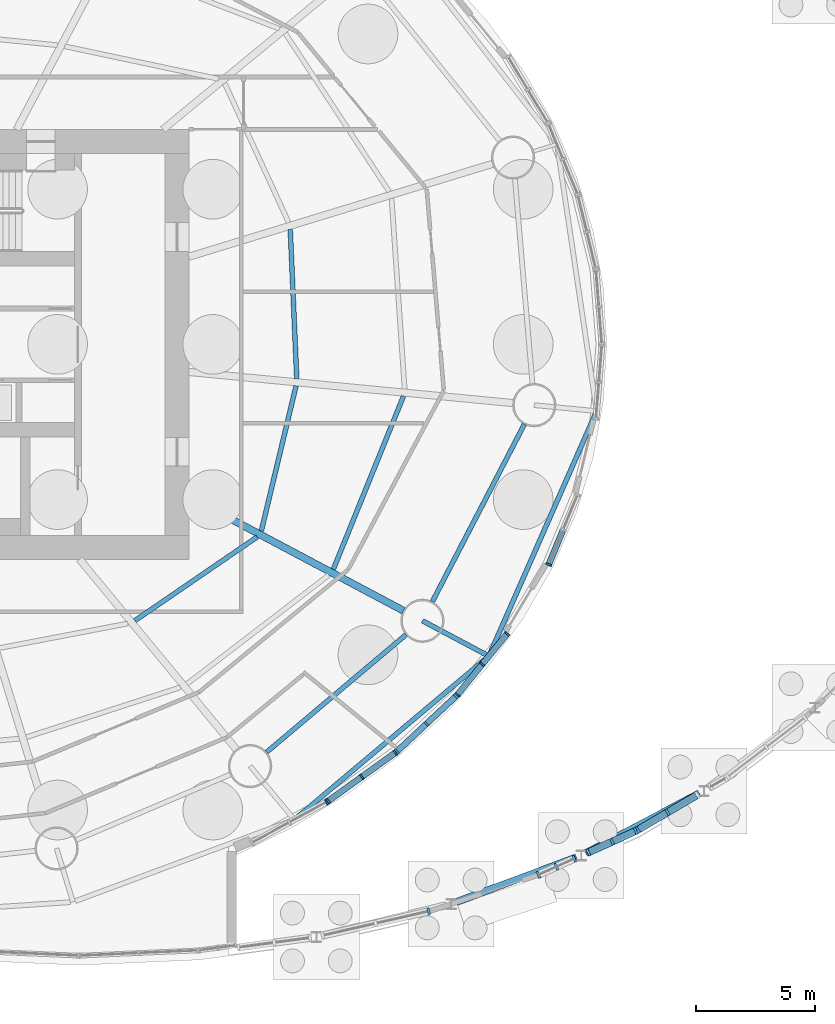
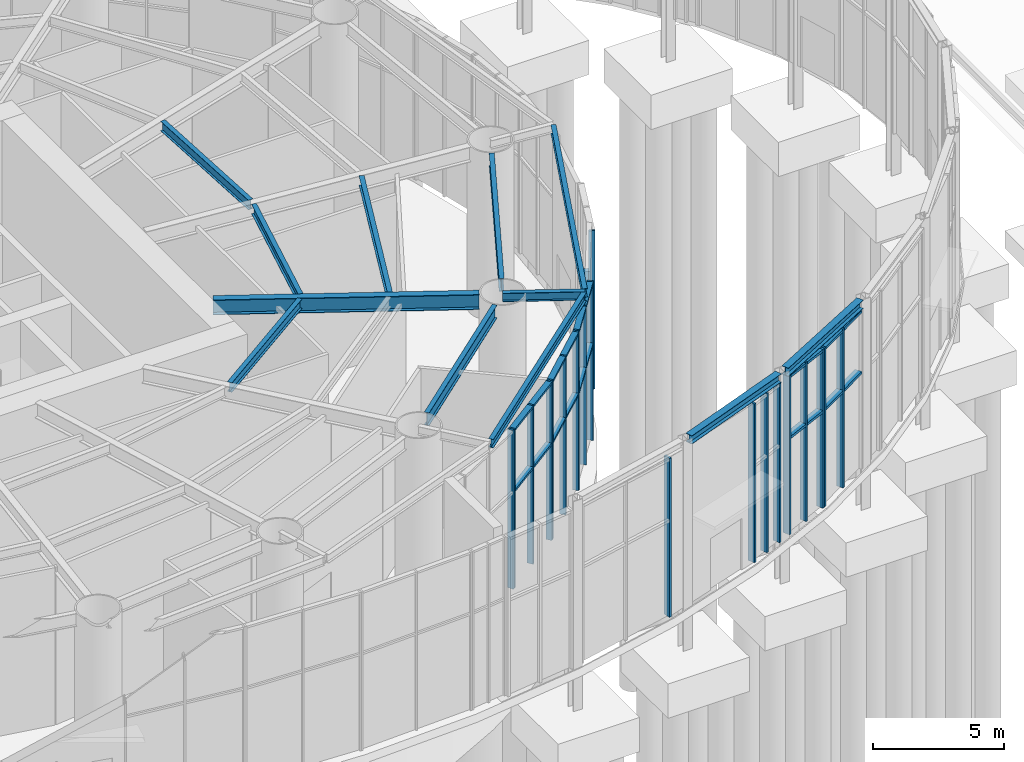
# One storey, part 8 of 27: 41 members, 12 beams, 9 elements without a shape of their own.
"""IFC4 building model written with IfcOpenShell, lengths in metres."""

import ifcopenshell
import ifcopenshell.guid

model = None  # the IFC model being written
_history = None  # IfcOwnerHistory: only IFC2X3 demands one
_inside = {}  # id of a spatial element -> (the spatial element, [elements in it])
_under = {}  # id of a project, library or spatial element -> (it, [spatial elements below it])
_declared = {}  # id of a project -> (the project, [libraries it declares])
_typed = {}  # id of a type object -> (the type object, [elements of that type])
_made_of = {}  # id of a material, layer set ... -> (it, [elements and type objects made of it])


def new_model(schema):
    """Start an empty IFC model of exactly this schema.

    Asked for "IFC4X3", IfcOpenShell would pick the latest addendum, in which some entities
    have other attributes; the version numbers below select the first issue.
    IFC2X3 requires an IfcOwnerHistory on every rooted entity: one is made here for all.
    """
    global model, _history
    if schema == "IFC4X3":
        model = ifcopenshell.file(schema_version=(4, 3, 0, 0))
    else:
        model = ifcopenshell.file(schema=schema)
    _inside.clear()
    _under.clear()
    _declared.clear()
    _typed.clear()
    _made_of.clear()
    _history = None
    if model.schema == "IFC2X3":
        org = make("IfcOrganization", Name="unknown")
        user = make(
            "IfcPersonAndOrganization",
            ThePerson=make("IfcPerson", FamilyName="unknown"),
            TheOrganization=org,
        )
        app = make(
            "IfcApplication",
            ApplicationDeveloper=org,
            Version="unknown",
            ApplicationFullName="unknown",
            ApplicationIdentifier="unknown",
        )
        _history = make(
            "IfcOwnerHistory",
            OwningUser=user,
            OwningApplication=app,
            ChangeAction="ADDED",
            CreationDate=0,
        )
    return model


def make(cls, **values):
    """One entity of the class cls with the attributes given. An attribute that is None is left unset."""
    return model.create_entity(
        cls, **{name: value for name, value in values.items() if value is not None}
    )


def rooted(cls, **values):
    """An entity with a GlobalId (a new one), such as an element, a storey or a relation."""
    return make(cls, GlobalId=ifcopenshell.guid.new(), OwnerHistory=_history, **values)


def si_unit(unit_type, name, prefix=None):
    """IfcSIUnit, for example si_unit("LENGTHUNIT", "METRE", prefix="MILLI")."""
    return make("IfcSIUnit", UnitType=unit_type, Prefix=prefix, Name=name)


def assignment(units):
    """IfcUnitAssignment: the units of a project."""
    return None if units is None else make("IfcUnitAssignment", Units=units)


def point(xyz):
    """IfcCartesianPoint."""
    return None if xyz is None else make("IfcCartesianPoint", Coordinates=xyz)


def direction(xyz):
    """IfcDirection."""
    return None if xyz is None else make("IfcDirection", DirectionRatios=xyz)


def frame(location, z_axis=None, x_axis=None):
    """IfcAxis2Placement3D, a coordinate frame: its origin and axes. An axis left out is left unset."""
    return make(
        "IfcAxis2Placement3D",
        Location=point(location),
        Axis=direction(z_axis),
        RefDirection=direction(x_axis),
    )


def frame_2d(location, x_axis=None):
    """IfcAxis2Placement2D, a coordinate frame in the plane: its origin and x axis."""
    return make(
        "IfcAxis2Placement2D", Location=point(location), RefDirection=direction(x_axis)
    )


def origin():
    """The frame at (0, 0, 0) with its axes left unset."""
    return frame((0.0, 0.0, 0.0))


def origin_2d():
    """The frame at (0, 0) in the plane with its x axis left unset."""
    return frame_2d((0.0, 0.0))


def place(relative_to, where):
    """IfcLocalPlacement: puts the frame where relative to a parent placement (None: the world)."""
    return make(
        "IfcLocalPlacement", PlacementRelTo=relative_to, RelativePlacement=where
    )


def context(
    kind, dimensions, precision=None, world=None, true_north=None, identifier=None
):
    """IfcGeometricRepresentationContext, for example the 3D "Model" context."""
    return make(
        "IfcGeometricRepresentationContext",
        ContextIdentifier=identifier,
        ContextType=kind,
        CoordinateSpaceDimension=dimensions,
        Precision=precision,
        WorldCoordinateSystem=world,
        TrueNorth=true_north,
    )


def subcontext(parent, identifier, kind, view, scale=None):
    """IfcGeometricRepresentationSubContext, for example "Body" below "Model"."""
    return make(
        "IfcGeometricRepresentationSubContext",
        ContextIdentifier=identifier,
        ContextType=kind,
        ParentContext=parent,
        TargetScale=scale,
        TargetView=view,
    )


def project(units=None, contexts=None):
    """IfcProject with its units and contexts."""
    return rooted(
        "IfcProject",
        Name="project",
        RepresentationContexts=contexts,
        UnitsInContext=assignment(units),
    )


def spatial(cls, under=None, at=None, **own):
    """A site, building, storey or space (cls), placed at a placement, below another one or the project."""
    s = rooted(cls, ObjectPlacement=at, **own)
    if under is not None:
        _under.setdefault(under.id(), (under, []))[1].append(s)
    return s


def profile(cls, at=None, kind="AREA", **sizes):
    """A parametric profile (cls). Its sizes go by their IFC names, for example OverallWidth=200.0."""
    return make(cls, ProfileType=kind, Position=at, **sizes)


def rectangle(**sizes):
    """IfcRectangleProfileDef."""
    return profile("IfcRectangleProfileDef", **sizes)


def i_section(**sizes):
    """IfcIShapeProfileDef."""
    return profile("IfcIShapeProfileDef", **sizes)


def extrude(swept, where, along, depth):
    """IfcExtrudedAreaSolid: the profile swept, set in the frame where, extruded along a direction by depth."""
    return make(
        "IfcExtrudedAreaSolid",
        SweptArea=swept,
        Position=where,
        ExtrudedDirection=direction(along),
        Depth=depth,
    )


def shape(context_of_items, identifier, shape_type, items):
    """IfcShapeRepresentation: the items that make up one representation, for example the "Body"."""
    return make(
        "IfcShapeRepresentation",
        ContextOfItems=context_of_items,
        RepresentationIdentifier=identifier,
        RepresentationType=shape_type,
        Items=items,
    )


def material(Name=None, Category=None):
    """IfcMaterial."""
    return make("IfcMaterial", Name=Name, Category=Category)


def material_profile(
    of_material, cross_section, Name=None, Category=None, Priority=None
):
    """IfcMaterialProfile: a cross section and its material."""
    return make(
        "IfcMaterialProfile",
        Name=Name,
        Material=of_material,
        Profile=cross_section,
        Priority=Priority,
        Category=Category,
    )


def profile_set(profiles, Name=None, composite=None):
    """IfcMaterialProfileSet."""
    return make(
        "IfcMaterialProfileSet",
        Name=Name,
        MaterialProfiles=profiles,
        CompositeProfile=composite,
    )


def made_of(thing, what):
    """Note that an element or type object is made of a material, layer set ...; save() writes the relation."""
    if what is not None:
        _made_of.setdefault(what.id(), (what, []))[1].append(thing)
    return thing


def type_object(cls, material=None, **own):
    """A type object (cls), such as IfcWallType, which elements share."""
    return made_of(rooted(cls, **own), material)


def element(
    cls,
    number,
    at=None,
    inside=None,
    cuts=None,
    type_object=None,
    material=None,
    context=None,
    identifier="Body",
    shape_type=None,
    held_by="IfcProductDefinitionShape",
    body=None,
    shapes=None,
    **own,
):
    """One element of the class cls, such as IfcWall. Its Tag is "e" and its number.

    at: its placement. inside: the storey or other place that contains it. cuts: it is an
    opening in that element (IfcRelVoidsElement). A single representation is given by context,
    identifier, shape_type and body (its items); several are given by shapes. held_by: the class
    of the entity that holds the representations. save() writes the other relations.
    """
    e = rooted(cls, Tag="e%d" % number, ObjectPlacement=at, **own)
    if body is not None:
        shapes = [shape(context, identifier, shape_type, body)]
    if shapes is not None:
        e.Representation = make(held_by, Representations=shapes)
    if inside is not None:
        _inside.setdefault(inside.id(), (inside, []))[1].append(e)
    if cuts is not None:
        rooted(
            "IfcRelVoidsElement", RelatingBuildingElement=cuts, RelatedOpeningElement=e
        )
    if type_object is not None:
        _typed.setdefault(type_object.id(), (type_object, []))[1].append(e)
    return made_of(e, material)


def aggregate(whole, parts):
    """IfcRelAggregates: a whole, such as a stair, and the parts it consists of."""
    return rooted("IfcRelAggregates", RelatingObject=whole, RelatedObjects=parts)


def save(model, path):
    """Write the relations noted so far, then the file.

    IfcRelAggregates (storeys below a building ...), IfcRelContainedInSpatialStructure (elements
    in a storey), IfcRelDefinesByType, IfcRelAssociatesMaterial and IfcRelDeclares: one each for
    every whole, place, type object, material and project.
    """
    for whole, parts in _under.values():
        aggregate(whole, parts)
    for where, things in _inside.values():
        rooted(
            "IfcRelContainedInSpatialStructure",
            RelatedElements=things,
            RelatingStructure=where,
        )
    for kind, things in _typed.values():
        rooted("IfcRelDefinesByType", RelatedObjects=things, RelatingType=kind)
    for what, things in _made_of.values():
        rooted("IfcRelAssociatesMaterial", RelatedObjects=things, RelatingMaterial=what)
    for by, libraries in _declared.values():
        rooted("IfcRelDeclares", RelatingContext=by, RelatedDefinitions=libraries)
    model.write(path)


model = new_model("IFC4")

# Units and contexts
model_context = context("Model", 3, precision=1e-05, world=origin(), true_north=direction((0.0, 1.0)))
body_context = subcontext(model_context, "Body", "Model", "MODEL_VIEW")
ifc_project = project(units=[si_unit("LENGTHUNIT", "METRE"), si_unit("AREAUNIT", "SQUARE_METRE"), si_unit("VOLUMEUNIT", "CUBIC_METRE"), si_unit("PLANEANGLEUNIT", "RADIAN"), si_unit("MASSUNIT", "GRAM", prefix="KILO")], contexts=[model_context])

# Site, building, storey
site_placement = place(None, origin())
site = spatial("IfcSite", under=ifc_project, at=site_placement, CompositionType="ELEMENT")
building_placement = place(site_placement, origin())
building = spatial("IfcBuilding", under=site, at=building_placement, Name="Vermilion Reach Broadcast Tower", CompositionType="ELEMENT")
storey_placement = place(building_placement, origin())
storey = spatial("IfcBuildingStorey", under=building, at=storey_placement, Name="L00", CompositionType="ELEMENT", Elevation=0.0)

# Curtain wall, member
ifc_material_1 = material(Name="Low-e laminated clear glass in aluminium frame", Category="aluminium")
curtain_wall_type_1 = type_object("IfcCurtainWallType", Name="Atrium outer wall curtain wall", PredefinedType="NOTDEFINED", material=ifc_material_1)
placement = place(storey_placement, origin())
curtain_wall_1 = element("IfcCurtainWall", 1, at=placement, inside=storey, type_object=curtain_wall_type_1, Name="Atrium wall L00 02", PredefinedType="NOTDEFINED")
ifc_material_2 = material(Name="Anodised aluminium", Category="aluminium")
ifc_material_profile_1 = material_profile(ifc_material_2, rectangle(XDim=0.300048828125, YDim=0.10009765625, at=origin_2d()), Name="Atrium outer wall mullion 100 x 300")
ifc_profile_set_1 = profile_set([ifc_material_profile_1], Name="Anodised aluminium")
member_type_1 = type_object("IfcMemberType", Name="Atrium outer wall mullion 100 x 300", PredefinedType="MULLION", material=ifc_profile_set_1)
member_1_placement = place(storey_placement, frame((16.042236328125, -23.7431640625, 0.0), z_axis=(0.0, 0.0, 1.0), x_axis=(-0.222891523278, 0.974843253478, 0.0)))
member_1 = element("IfcMember", 2, at=member_1_placement, type_object=member_type_1, Name="Atrium wall mullion L00 02.3", PredefinedType="MULLION", context=body_context, shape_type="SweptSolid", body=[
    extrude(rectangle(XDim=0.300048828125, YDim=0.10009765625, at=origin_2d()), origin(), (0.0, 0.0, 1.0), 7.409912109375),
])
aggregate(curtain_wall_1, [member_1])

# Curtain wall, members
curtain_wall_2 = element("IfcCurtainWall", 3, at=placement, inside=storey, type_object=curtain_wall_type_1, Name="Atrium wall L00 01-1", PredefinedType="NOTDEFINED")
member_2_placement = place(storey_placement, frame((20.636962890625, -22.216552734375, 0.0), z_axis=(0.0, 0.0, 1.0), x_axis=(-0.410407876277, 0.911902064418, 0.0)))
member_2 = element("IfcMember", 4, at=member_2_placement, type_object=member_type_1, Name="Atrium wall mullion L00 01-1.1", PredefinedType="MULLION", context=body_context, shape_type="SweptSolid", body=[
    extrude(rectangle(XDim=0.300048828125, YDim=0.10009765625, at=origin_2d()), origin(), (0.0, 0.0, 1.0), 7.409912109375),
])
member_3_placement = place(storey_placement, frame((21.386474609375, -21.87939453125, 0.0), z_axis=(0.0, 0.0, 1.0), x_axis=(-0.410407876277, 0.911902064418, 0.0)))
member_3 = element("IfcMember", 5, at=member_3_placement, type_object=member_type_1, Name="Atrium wall mullion L00 01-1.2", PredefinedType="MULLION", context=body_context, shape_type="SweptSolid", body=[
    extrude(rectangle(XDim=0.300048828125, YDim=0.10009765625, at=origin_2d()), origin(), (0.0, 0.0, 1.0), 7.409912109375),
])
member_4_placement = place(storey_placement, frame((22.1357421875, -21.5419921875, 0.0), z_axis=(0.0, 0.0, 1.0), x_axis=(-0.410407876277, 0.911902064418, 0.0)))
member_4 = element("IfcMember", 6, at=member_4_placement, type_object=member_type_1, Name="Atrium wall mullion L00 01-1.3", PredefinedType="MULLION", context=body_context, shape_type="SweptSolid", body=[
    extrude(rectangle(XDim=0.300048828125, YDim=0.10009765625, at=origin_2d()), origin(), (0.0, 0.0, 1.0), 7.409912109375),
])
aggregate(curtain_wall_2, [member_2, member_3, member_4])

curtain_wall_3 = element("IfcCurtainWall", 7, at=placement, inside=storey, type_object=curtain_wall_type_1, Name="Atrium wall L00 01-2", PredefinedType="NOTDEFINED")
member_5_placement = place(storey_placement, frame((22.726806640625, -21.276123046875, 0.0), z_axis=(0.0, 0.0, 1.0), x_axis=(-0.410407876277, 0.911902064418, 0.0)))
member_5 = element("IfcMember", 8, at=member_5_placement, type_object=member_type_1, Name="Atrium wall mullion L00 01-2.1", PredefinedType="MULLION", context=body_context, shape_type="SweptSolid", body=[
    extrude(rectangle(XDim=0.300048828125, YDim=0.10009765625, at=origin_2d()), origin(), (0.0, 0.0, 1.0), 7.409912109375),
])
member_6_placement = place(storey_placement, frame((23.720947265625, -20.82861328125, 0.0), z_axis=(0.0, 0.0, 1.0), x_axis=(-0.410407876277, 0.911902064418, 0.0)))
member_6 = element("IfcMember", 9, at=member_6_placement, type_object=member_type_1, Name="Atrium wall mullion L00 01-2.2", PredefinedType="MULLION", context=body_context, shape_type="SweptSolid", body=[
    extrude(rectangle(XDim=0.300048828125, YDim=0.10009765625, at=origin_2d()), origin(), (0.0, 0.0, 1.0), 7.409912109375),
])
member_7_placement = place(storey_placement, frame((24.715087890625, -20.38134765625, 0.0), z_axis=(0.0, 0.0, 1.0), x_axis=(-0.410407876277, 0.911902064418, 0.0)))
member_7 = element("IfcMember", 10, at=member_7_placement, type_object=member_type_1, Name="Atrium wall mullion L00 01-2.3", PredefinedType="MULLION", context=body_context, shape_type="SweptSolid", body=[
    extrude(rectangle(XDim=0.300048828125, YDim=0.10009765625, at=origin_2d()), origin(), (0.0, 0.0, 1.0), 7.409912109375),
])

curtain_wall_4 = element("IfcCurtainWall", 11, at=placement, inside=storey, type_object=curtain_wall_type_1, Name="Atrium wall L00 02-1", PredefinedType="NOTDEFINED")
member_8_placement = place(storey_placement, frame((24.8037109375, -20.33544921875, 0.0), z_axis=(0.0, 0.0, 1.0), x_axis=(-0.508589622127, 0.861009057017, 0.0)))
member_8 = element("IfcMember", 12, at=member_8_placement, type_object=member_type_1, Name="Atrium wall mullion L00 02-1.1", PredefinedType="MULLION", context=body_context, shape_type="SweptSolid", body=[
    extrude(rectangle(XDim=0.300048828125, YDim=0.10009765625, at=origin_2d()), origin(), (0.0, 0.0, 1.0), 7.409912109375),
])
member_9_placement = place(storey_placement, frame((26.0478515625, -19.6005859375, 0.0), z_axis=(0.0, 0.0, 1.0), x_axis=(-0.508589622127, 0.861009057017, 0.0)))
member_9 = element("IfcMember", 13, at=member_9_placement, type_object=member_type_1, Name="Atrium wall mullion L00 02-1.2", PredefinedType="MULLION", context=body_context, shape_type="SweptSolid", body=[
    extrude(rectangle(XDim=0.300048828125, YDim=0.10009765625, at=origin_2d()), origin(), (0.0, 0.0, 1.0), 7.409912109375),
])

# Member
ifc_material_3 = material(Name="Anodised aluminium", Category="aluminium")
ifc_material_profile_2 = material_profile(ifc_material_3, rectangle(XDim=0.300048828125, YDim=0.1201171875, at=origin_2d()), Name="Atrium outer wall transom 300 x 120")
ifc_profile_set_2 = profile_set([ifc_material_profile_2], Name="Anodised aluminium")
member_type_2 = type_object("IfcMemberType", Name="Atrium outer wall transom 300 x 120", PredefinedType="USERDEFINED", material=ifc_profile_set_2)
member_10_placement = place(storey_placement, frame((22.772216796875, -21.255615234375, 4.5), z_axis=(0.911879986632, 0.410456928289, 0.0), x_axis=(-0.410456928289, 0.911879986632, 0.0)))
member_10 = element("IfcMember", 14, at=member_10_placement, type_object=member_type_2, Name="Atrium wall transom L00 01-2.1.2", ObjectType="TRANSOM", PredefinedType="USERDEFINED", context=body_context, shape_type="SweptSolid", body=[
    extrude(rectangle(XDim=0.300048828125, YDim=0.1201171875, at=origin_2d()), origin(), (0.0, 0.0, 1.0), 0.990234375),
])

member_11_placement = place(storey_placement, frame((22.772216796875, -21.255615234375, 7.35009765625), z_axis=(0.911879986632, 0.410456928289, 0.0), x_axis=(-0.410456928289, 0.911879986632, 0.0)))
member_11 = element("IfcMember", 15, at=member_11_placement, type_object=member_type_2, Name="Atrium wall transom L00 01-2.1.3", ObjectType="TRANSOM", PredefinedType="USERDEFINED", context=body_context, shape_type="SweptSolid", body=[
    extrude(rectangle(XDim=0.300048828125, YDim=0.1201171875, at=origin_2d()), origin(), (0.0, 0.0, 1.0), 0.990234375),
])

member_12_placement = place(storey_placement, frame((23.766357421875, -20.80810546875, 4.5), z_axis=(0.911972242519, 0.410251909044, 0.0), x_axis=(-0.410251909044, 0.911972242519, 0.0)))
member_12 = element("IfcMember", 16, at=member_12_placement, type_object=member_type_2, Name="Atrium wall transom L00 01-2.2.2", ObjectType="TRANSOM", PredefinedType="USERDEFINED", context=body_context, shape_type="SweptSolid", body=[
    extrude(rectangle(XDim=0.300048828125, YDim=0.1201171875, at=origin_2d()), origin(), (0.0, 0.0, 1.0), 0.990234375),
])

member_13_placement = place(storey_placement, frame((23.766357421875, -20.80810546875, 7.35009765625), z_axis=(0.911972242519, 0.410251909044, 0.0), x_axis=(-0.410251909044, 0.911972242519, 0.0)))
member_13 = element("IfcMember", 17, at=member_13_placement, type_object=member_type_2, Name="Atrium wall transom L00 01-2.2.3", ObjectType="TRANSOM", PredefinedType="USERDEFINED", context=body_context, shape_type="SweptSolid", body=[
    extrude(rectangle(XDim=0.300048828125, YDim=0.1201171875, at=origin_2d()), origin(), (0.0, 0.0, 1.0), 0.990234375),
])

aggregate(curtain_wall_3, [member_5, member_6, member_7, member_10, member_11, member_12, member_13])

member_14_placement = place(storey_placement, frame((24.8466796875, -20.309814453125, 4.5), z_axis=(0.861060223376, 0.508502990866, 0.0), x_axis=(-0.508502990866, 0.861060223376, 0.0)))
member_14 = element("IfcMember", 18, at=member_14_placement, type_object=member_type_2, Name="Atrium wall transom L00 02-1.1.2", ObjectType="TRANSOM", PredefinedType="USERDEFINED", context=body_context, shape_type="SweptSolid", body=[
    extrude(rectangle(XDim=0.300048828125, YDim=0.1201171875, at=origin_2d()), origin(), (0.0, 0.0, 1.0), 1.3447265625),
])

member_15_placement = place(storey_placement, frame((24.8466796875, -20.309814453125, 7.35009765625), z_axis=(0.861060223376, 0.508502990866, 0.0), x_axis=(-0.508502990866, 0.861060223376, 0.0)))
member_15 = element("IfcMember", 19, at=member_15_placement, type_object=member_type_2, Name="Atrium wall transom L00 02-1.1.3", ObjectType="TRANSOM", PredefinedType="USERDEFINED", context=body_context, shape_type="SweptSolid", body=[
    extrude(rectangle(XDim=0.300048828125, YDim=0.1201171875, at=origin_2d()), origin(), (0.0, 0.0, 1.0), 1.3447265625),
])

member_16_placement = place(storey_placement, frame((26.0908203125, -19.574951171875, 4.5), z_axis=(0.861060223376, 0.508502990866, 0.0), x_axis=(-0.508502990866, 0.861060223376, 0.0)))
member_16 = element("IfcMember", 20, at=member_16_placement, type_object=member_type_2, Name="Atrium wall transom L00 02-1.2.2", ObjectType="TRANSOM", PredefinedType="USERDEFINED", context=body_context, shape_type="SweptSolid", body=[
    extrude(rectangle(XDim=0.300048828125, YDim=0.1201171875, at=origin_2d()), origin(), (0.0, 0.0, 1.0), 1.3447265625),
])

member_17_placement = place(storey_placement, frame((26.0908203125, -19.574951171875, 7.35009765625), z_axis=(0.861060223376, 0.508502990866, 0.0), x_axis=(-0.508502990866, 0.861060223376, 0.0)))
member_17 = element("IfcMember", 21, at=member_17_placement, type_object=member_type_2, Name="Atrium wall transom L00 02-1.2.3", ObjectType="TRANSOM", PredefinedType="USERDEFINED", context=body_context, shape_type="SweptSolid", body=[
    extrude(rectangle(XDim=0.300048828125, YDim=0.1201171875, at=origin_2d()), origin(), (0.0, 0.0, 1.0), 1.3447265625),
])

aggregate(curtain_wall_4, [member_8, member_9, member_14, member_15, member_16, member_17])

# Curtain wall, member
ifc_material_4 = material(Name="Low-e laminated clear glass in aluminium frame", Category="aluminium")
curtain_wall_type_2 = type_object("IfcCurtainWallType", Name="Drum wall curtain wall", PredefinedType="NOTDEFINED", material=ifc_material_4)
curtain_wall_5 = element("IfcCurtainWall", 22, at=placement, inside=storey, type_object=curtain_wall_type_2, Name="Drum wall L00 01", PredefinedType="NOTDEFINED")
ifc_material_5 = material(Name="Anodised aluminium", Category="aluminium")
ifc_material_profile_3 = material_profile(ifc_material_5, rectangle(XDim=0.25, YDim=0.080078125, at=origin_2d()), Name="Drum wall mullion 80 x 250")
ifc_profile_set_3 = profile_set([ifc_material_profile_3], Name="Anodised aluminium")
member_type_3 = type_object("IfcMemberType", Name="Drum wall mullion 80 x 250", PredefinedType="MULLION", material=ifc_profile_set_3)
member_18_placement = place(storey_placement, frame((21.069091796875, -9.219970703125, 0.0), z_axis=(0.0, 0.0, 1.0), x_axis=(0.92387542808, -0.382693341189, 0.0)))
member_18 = element("IfcMember", 23, at=member_18_placement, type_object=member_type_3, Name="Drum wall mullion L00 01.3", PredefinedType="MULLION", context=body_context, shape_type="SweptSolid", body=[
    extrude(rectangle(XDim=0.25, YDim=0.080078125, at=origin_2d()), origin(), (0.0, 0.0, 1.0), 7.39990234375),
])

# Curtain wall, members
curtain_wall_6 = element("IfcCurtainWall", 24, at=placement, inside=storey, type_object=curtain_wall_type_2, Name="Drum wall L00 01", PredefinedType="NOTDEFINED")
member_19_placement = place(storey_placement, frame((19.32470703125, -12.118896484375, 0.0), z_axis=(0.0, 0.0, 1.0), x_axis=(0.775024968423, -0.631930611951, 0.0)))
member_19 = element("IfcMember", 25, at=member_19_placement, type_object=member_type_3, Name="Drum wall mullion L00 01.1", PredefinedType="MULLION", context=body_context, shape_type="SweptSolid", body=[
    extrude(rectangle(XDim=0.25, YDim=0.080078125, at=origin_2d()), origin(), (0.0, 0.0, 1.0), 7.39990234375),
])
member_20_placement = place(storey_placement, frame((18.28173828125, -13.398193359375, 0.0), z_axis=(0.0, 0.0, 1.0), x_axis=(0.775024968423, -0.631930611951, 0.0)))
member_20 = element("IfcMember", 26, at=member_20_placement, type_object=member_type_3, Name="Drum wall mullion L00 01.2", PredefinedType="MULLION", context=body_context, shape_type="SweptSolid", body=[
    extrude(rectangle(XDim=0.25, YDim=0.080078125, at=origin_2d()), origin(), (0.0, 0.0, 1.0), 7.39990234375),
])
member_21_placement = place(storey_placement, frame((17.238525390625, -14.677490234375, 0.0), z_axis=(0.0, 0.0, 1.0), x_axis=(0.775024968423, -0.631930611951, 0.0)))
member_21 = element("IfcMember", 27, at=member_21_placement, type_object=member_type_3, Name="Drum wall mullion L00 01.3", PredefinedType="MULLION", context=body_context, shape_type="SweptSolid", body=[
    extrude(rectangle(XDim=0.25, YDim=0.080078125, at=origin_2d()), origin(), (0.0, 0.0, 1.0), 7.39990234375),
])

curtain_wall_7 = element("IfcCurtainWall", 28, at=placement, inside=storey, type_object=curtain_wall_type_2, Name="Drum wall L00 02", PredefinedType="NOTDEFINED")
member_22_placement = place(storey_placement, frame((17.18408203125, -14.73583984375, 0.0), z_axis=(0.0, 0.0, 1.0), x_axis=(0.682747869342, -0.730654054194, 0.0)))
member_22 = element("IfcMember", 29, at=member_22_placement, type_object=member_type_3, Name="Drum wall mullion L00 02.1", PredefinedType="MULLION", context=body_context, shape_type="SweptSolid", body=[
    extrude(rectangle(XDim=0.25, YDim=0.080078125, at=origin_2d()), origin(), (0.0, 0.0, 1.0), 7.39990234375),
])
member_23_placement = place(storey_placement, frame((15.947265625, -15.891357421875, 0.0), z_axis=(0.0, 0.0, 1.0), x_axis=(0.682747869342, -0.730654054194, 0.0)))
member_23 = element("IfcMember", 30, at=member_23_placement, type_object=member_type_3, Name="Drum wall mullion L00 02.2", PredefinedType="MULLION", context=body_context, shape_type="SweptSolid", body=[
    extrude(rectangle(XDim=0.25, YDim=0.080078125, at=origin_2d()), origin(), (0.0, 0.0, 1.0), 7.39990234375),
])
member_24_placement = place(storey_placement, frame((14.710693359375, -17.047119140625, 0.0), z_axis=(0.0, 0.0, 1.0), x_axis=(0.682747869342, -0.730654054194, 0.0)))
member_24 = element("IfcMember", 31, at=member_24_placement, type_object=member_type_3, Name="Drum wall mullion L00 02.3", PredefinedType="MULLION", context=body_context, shape_type="SweptSolid", body=[
    extrude(rectangle(XDim=0.25, YDim=0.080078125, at=origin_2d()), origin(), (0.0, 0.0, 1.0), 7.39990234375),
])

curtain_wall_8 = element("IfcCurtainWall", 32, at=placement, inside=storey, type_object=curtain_wall_type_2, Name="Drum wall L00 03", PredefinedType="NOTDEFINED")
member_25_placement = place(storey_placement, frame((14.64892578125, -17.09765625, 0.0), z_axis=(0.0, 0.0, 1.0), x_axis=(0.583587074286, -0.812050569069, 0.0)))
member_25 = element("IfcMember", 33, at=member_25_placement, type_object=member_type_3, Name="Drum wall mullion L00 03.1", PredefinedType="MULLION", context=body_context, shape_type="SweptSolid", body=[
    extrude(rectangle(XDim=0.25, YDim=0.080078125, at=origin_2d()), origin(), (0.0, 0.0, 1.0), 7.39990234375),
])
member_26_placement = place(storey_placement, frame((13.23974609375, -18.1103515625, 0.0), z_axis=(0.0, 0.0, 1.0), x_axis=(0.583587074286, -0.812050569069, 0.0)))
member_26 = element("IfcMember", 34, at=member_26_placement, type_object=member_type_3, Name="Drum wall mullion L00 03.2", PredefinedType="MULLION", context=body_context, shape_type="SweptSolid", body=[
    extrude(rectangle(XDim=0.25, YDim=0.080078125, at=origin_2d()), origin(), (0.0, 0.0, 1.0), 7.39990234375),
])
member_27_placement = place(storey_placement, frame((11.830810546875, -19.123046875, 0.0), z_axis=(0.0, 0.0, 1.0), x_axis=(0.583587074286, -0.812050569069, 0.0)))
member_27 = element("IfcMember", 35, at=member_27_placement, type_object=member_type_3, Name="Drum wall mullion L00 03.3", PredefinedType="MULLION", context=body_context, shape_type="SweptSolid", body=[
    extrude(rectangle(XDim=0.25, YDim=0.080078125, at=origin_2d()), origin(), (0.0, 0.0, 1.0), 7.39990234375),
])

# Curtain wall, member
curtain_wall_9 = element("IfcCurtainWall", 36, at=placement, inside=storey, type_object=curtain_wall_type_2, Name="Drum wall L00 04", PredefinedType="NOTDEFINED")
member_28_placement = place(storey_placement, frame((11.76318359375, -19.16552734375, 0.0), z_axis=(0.0, 0.0, 1.0), x_axis=(0.480269272265, -0.87712110117, 0.0)))
member_28 = element("IfcMember", 37, at=member_28_placement, type_object=member_type_3, Name="Drum wall mullion L00 04.1", PredefinedType="MULLION", context=body_context, shape_type="SweptSolid", body=[
    extrude(rectangle(XDim=0.25, YDim=0.080078125, at=origin_2d()), origin(), (0.0, 0.0, 1.0), 7.39990234375),
])
aggregate(curtain_wall_9, [member_28])

# Member
ifc_material_6 = material(Name="Anodised aluminium", Category="aluminium")
ifc_material_profile_4 = material_profile(ifc_material_6, rectangle(XDim=0.25, YDim=0.10009765625, at=origin_2d()), Name="Drum wall transom 250 x 100")
ifc_profile_set_4 = profile_set([ifc_material_profile_4], Name="Anodised aluminium")
member_type_4 = type_object("IfcMemberType", Name="Drum wall transom 250 x 100", PredefinedType="USERDEFINED", material=ifc_profile_set_4)
member_29_placement = place(storey_placement, frame((21.658447265625, -7.797119140625, 4.5), z_axis=(-0.382811769845, -0.923826362943, 0.0), x_axis=(0.923826362943, -0.382811769845, 0.0)))
member_29 = element("IfcMember", 38, at=member_29_placement, type_object=member_type_4, Name="Drum wall transom L00 01.2.2", ObjectType="TRANSOM", PredefinedType="USERDEFINED", context=body_context, shape_type="SweptSolid", body=[
    extrude(rectangle(XDim=0.25, YDim=0.10009765625, at=origin_2d()), origin(), (0.0, 0.0, 1.0), 1.5),
])

aggregate(curtain_wall_5, [member_18, member_29])

member_30_placement = place(storey_placement, frame((19.299560546875, -12.14990234375, 4.5), z_axis=(-0.631984275662, -0.774981209653, 0.0), x_axis=(0.774981209653, -0.631984275662, 0.0)))
member_30 = element("IfcMember", 39, at=member_30_placement, type_object=member_type_4, Name="Drum wall transom L00 01.1.2", ObjectType="TRANSOM", PredefinedType="USERDEFINED", context=body_context, shape_type="SweptSolid", body=[
    extrude(rectangle(XDim=0.25, YDim=0.10009765625, at=origin_2d()), origin(), (0.0, 0.0, 1.0), 1.57080078125),
])

member_31_placement = place(storey_placement, frame((19.299560546875, -12.14990234375, 7.35009765625), z_axis=(-0.631984275662, -0.774981209653, 0.0), x_axis=(0.774981209653, -0.631984275662, 0.0)))
member_31 = element("IfcMember", 40, at=member_31_placement, type_object=member_type_4, Name="Drum wall transom L00 01.1.3", ObjectType="TRANSOM", PredefinedType="USERDEFINED", context=body_context, shape_type="SweptSolid", body=[
    extrude(rectangle(XDim=0.25, YDim=0.10009765625, at=origin_2d()), origin(), (0.0, 0.0, 1.0), 1.57080078125),
])

member_32_placement = place(storey_placement, frame((18.25634765625, -13.42919921875, 4.5), z_axis=(-0.631890910418, -0.775057338092, 0.0), x_axis=(0.775057338092, -0.631890910418, 0.0)))
member_32 = element("IfcMember", 41, at=member_32_placement, type_object=member_type_4, Name="Drum wall transom L00 01.2.2", ObjectType="TRANSOM", PredefinedType="USERDEFINED", context=body_context, shape_type="SweptSolid", body=[
    extrude(rectangle(XDim=0.25, YDim=0.10009765625, at=origin_2d()), origin(), (0.0, 0.0, 1.0), 1.570556640625),
])

member_33_placement = place(storey_placement, frame((18.25634765625, -13.42919921875, 7.35009765625), z_axis=(-0.631890910418, -0.775057338092, 0.0), x_axis=(0.775057338092, -0.631890910418, 0.0)))
member_33 = element("IfcMember", 42, at=member_33_placement, type_object=member_type_4, Name="Drum wall transom L00 01.2.3", ObjectType="TRANSOM", PredefinedType="USERDEFINED", context=body_context, shape_type="SweptSolid", body=[
    extrude(rectangle(XDim=0.25, YDim=0.10009765625, at=origin_2d()), origin(), (0.0, 0.0, 1.0), 1.570556640625),
])

aggregate(curtain_wall_6, [member_19, member_20, member_21, member_30, member_31, member_32, member_33])

member_34_placement = place(storey_placement, frame((17.15478515625, -14.762939453125, 4.5), z_axis=(-0.730622158932, -0.682782000991, 0.0), x_axis=(0.682782000991, -0.730622158932, 0.0)))
member_34 = element("IfcMember", 43, at=member_34_placement, type_object=member_type_4, Name="Drum wall transom L00 02.1.2", ObjectType="TRANSOM", PredefinedType="USERDEFINED", context=body_context, shape_type="SweptSolid", body=[
    extrude(rectangle(XDim=0.25, YDim=0.10009765625, at=origin_2d()), origin(), (0.0, 0.0, 1.0), 1.612548828125),
])

member_35_placement = place(storey_placement, frame((17.15478515625, -14.762939453125, 7.35009765625), z_axis=(-0.730622158932, -0.682782000991, 0.0), x_axis=(0.682782000991, -0.730622158932, 0.0)))
member_35 = element("IfcMember", 44, at=member_35_placement, type_object=member_type_4, Name="Drum wall transom L00 02.1.3", ObjectType="TRANSOM", PredefinedType="USERDEFINED", context=body_context, shape_type="SweptSolid", body=[
    extrude(rectangle(XDim=0.25, YDim=0.10009765625, at=origin_2d()), origin(), (0.0, 0.0, 1.0), 1.612548828125),
])

member_36_placement = place(storey_placement, frame((15.918212890625, -15.918701171875, 4.5), z_axis=(-0.730692725273, -0.68270648249, 0.0), x_axis=(0.68270648249, -0.730692725273, 0.0)))
member_36 = element("IfcMember", 45, at=member_36_placement, type_object=member_type_4, Name="Drum wall transom L00 02.2.2", ObjectType="TRANSOM", PredefinedType="USERDEFINED", context=body_context, shape_type="SweptSolid", body=[
    extrude(rectangle(XDim=0.25, YDim=0.10009765625, at=origin_2d()), origin(), (0.0, 0.0, 1.0), 1.61279296875),
])

member_37_placement = place(storey_placement, frame((15.918212890625, -15.918701171875, 7.35009765625), z_axis=(-0.730692725273, -0.68270648249, 0.0), x_axis=(0.68270648249, -0.730692725273, 0.0)))
member_37 = element("IfcMember", 46, at=member_37_placement, type_object=member_type_4, Name="Drum wall transom L00 02.2.3", ObjectType="TRANSOM", PredefinedType="USERDEFINED", context=body_context, shape_type="SweptSolid", body=[
    extrude(rectangle(XDim=0.25, YDim=0.10009765625, at=origin_2d()), origin(), (0.0, 0.0, 1.0), 1.61279296875),
])

aggregate(curtain_wall_7, [member_22, member_23, member_24, member_34, member_35, member_36, member_37])

member_38_placement = place(storey_placement, frame((14.616455078125, -17.12109375, 4.5), z_axis=(-0.812115843093, -0.583496235975, 0.0), x_axis=(0.583496235975, -0.812115843093, 0.0)))
member_38 = element("IfcMember", 47, at=member_38_placement, type_object=member_type_4, Name="Drum wall transom L00 03.1.2", ObjectType="TRANSOM", PredefinedType="USERDEFINED", context=body_context, shape_type="SweptSolid", body=[
    extrude(rectangle(XDim=0.25, YDim=0.10009765625, at=origin_2d()), origin(), (0.0, 0.0, 1.0), 1.6552734375),
])

member_39_placement = place(storey_placement, frame((14.616455078125, -17.12109375, 7.35009765625), z_axis=(-0.812115843093, -0.583496235975, 0.0), x_axis=(0.583496235975, -0.812115843093, 0.0)))
member_39 = element("IfcMember", 48, at=member_39_placement, type_object=member_type_4, Name="Drum wall transom L00 03.1.3", ObjectType="TRANSOM", PredefinedType="USERDEFINED", context=body_context, shape_type="SweptSolid", body=[
    extrude(rectangle(XDim=0.25, YDim=0.10009765625, at=origin_2d()), origin(), (0.0, 0.0, 1.0), 1.6552734375),
])

member_40_placement = place(storey_placement, frame((13.207275390625, -18.1337890625, 4.5), z_axis=(-0.812065616245, -0.583566135852, 0.0), x_axis=(0.583566135852, -0.812065616245, 0.0)))
member_40 = element("IfcMember", 49, at=member_40_placement, type_object=member_type_4, Name="Drum wall transom L00 03.2.2", ObjectType="TRANSOM", PredefinedType="USERDEFINED", context=body_context, shape_type="SweptSolid", body=[
    extrude(rectangle(XDim=0.25, YDim=0.10009765625, at=origin_2d()), origin(), (0.0, 0.0, 1.0), 1.655029296875),
])

member_41_placement = place(storey_placement, frame((13.207275390625, -18.1337890625, 7.35009765625), z_axis=(-0.812065616245, -0.583566135852, 0.0), x_axis=(0.583566135852, -0.812065616245, 0.0)))
member_41 = element("IfcMember", 50, at=member_41_placement, type_object=member_type_4, Name="Drum wall transom L00 03.2.3", ObjectType="TRANSOM", PredefinedType="USERDEFINED", context=body_context, shape_type="SweptSolid", body=[
    extrude(rectangle(XDim=0.25, YDim=0.10009765625, at=origin_2d()), origin(), (0.0, 0.0, 1.0), 1.655029296875),
])

aggregate(curtain_wall_8, [member_25, member_26, member_27, member_38, member_39, member_40, member_41])

# Beams
ifc_material_7 = material(Name="Steel S355J2", Category="steel")
ifc_material_profile_5 = material_profile(ifc_material_7, i_section(OverallWidth=0.199951171875, OverallDepth=0.39990234375, WebThickness=0.008056640625, FlangeThickness=0.012939453125, at=origin_2d()), Name="S355J2 HN 400x200x8x13")
ifc_profile_set_5 = profile_set([ifc_material_profile_5], Name="Steel S355J2")
beam_type_1 = type_object("IfcBeamType", Name="EB1 HN 400x200x8x13", PredefinedType="BEAM", material=ifc_profile_set_5)
beam_1_placement = place(storey_placement, frame((10.490478515625, -19.840087890625, 7.60009765625), z_axis=(0.765453208317, 0.643491558513, 0.0), x_axis=(-0.643491558513, 0.765453208317, 0.0)))
element("IfcBeam", 51, at=beam_1_placement, inside=storey, type_object=beam_type_1, Name="Edge beam EB1-14", PredefinedType="BEAM", context=body_context, shape_type="SweptSolid", body=[
    extrude(i_section(OverallWidth=0.199951171875, OverallDepth=0.39990234375, WebThickness=0.008056640625, FlangeThickness=0.012939453125, at=origin_2d()), origin(), (0.0, 0.0, 1.0), 10.437255859375),
])
beam_2_placement = place(storey_placement, frame((18.6025390625, -12.962646484375, 7.60009765625), z_axis=(0.402751254677, 0.915309470538, 0.0), x_axis=(-0.915309470538, 0.402751254677, 0.0)))
element("IfcBeam", 52, at=beam_2_placement, inside=storey, type_object=beam_type_1, Name="Edge beam EB1-15", PredefinedType="BEAM", context=body_context, shape_type="SweptSolid", body=[
    extrude(i_section(OverallWidth=0.199951171875, OverallDepth=0.39990234375, WebThickness=0.008056640625, FlangeThickness=0.012939453125, at=origin_2d()), origin(), (0.0, 0.0, 1.0), 11.00341796875),
])
ifc_material_8 = material(Name="Steel S355J2", Category="steel")
ifc_material_profile_6 = material_profile(ifc_material_8, i_section(OverallWidth=0.300048828125, OverallDepth=0.699951171875, WebThickness=0.012939453125, FlangeThickness=0.02392578125, at=origin_2d()), Name="S355J2 HN 700x300x13x24")
ifc_profile_set_6 = profile_set([ifc_material_profile_6], Name="Steel S355J2")
beam_type_2 = type_object("IfcBeamType", Name="G1 HN 700x300x13x24", PredefinedType="BEAM", material=ifc_profile_set_6)
beam_3_placement = place(storey_placement, frame((6.0, -6.3779296875, 7.449951171875), z_axis=(0.883032139419, -0.469312519279, 0.0), x_axis=(0.469312519279, 0.883032139419, 0.0)))
element("IfcBeam", 53, at=beam_3_placement, inside=storey, type_object=beam_type_2, Name="Girder G1-15", PredefinedType="BEAM", context=body_context, shape_type="SweptSolid", body=[
    extrude(i_section(OverallWidth=0.300048828125, OverallDepth=0.699951171875, WebThickness=0.012939453125, FlangeThickness=0.02392578125, at=origin_2d()), origin(), (0.0, 0.0, 1.0), 10.17529296875),
])
ifc_material_9 = material(Name="Steel S355J2", Category="steel")
ifc_material_profile_7 = material_profile(ifc_material_9, i_section(OverallWidth=0.199951171875, OverallDepth=0.39990234375, WebThickness=0.008056640625, FlangeThickness=0.012939453125, at=origin_2d()), Name="S355J2 HN 400x200x8x13")
ifc_profile_set_7 = profile_set([ifc_material_profile_7], Name="Steel S355J2")
beam_type_3 = type_object("IfcBeamType", Name="GC1 HN 400x200x8x13", PredefinedType="BEAM", material=ifc_profile_set_7)
beam_4_placement = place(storey_placement, frame((15.77978515625, -11.57568359375, 7.60009765625), z_axis=(0.8830404704, -0.469296843837, 0.0), x_axis=(0.469296843837, 0.8830404704, 0.0)))
element("IfcBeam", 54, at=beam_4_placement, inside=storey, type_object=beam_type_3, Name="Cantilever girder GC1-15", PredefinedType="BEAM", context=body_context, shape_type="SweptSolid", body=[
    extrude(i_section(OverallWidth=0.199951171875, OverallDepth=0.39990234375, WebThickness=0.008056640625, FlangeThickness=0.012939453125, at=origin_2d()), origin(), (0.0, 0.0, 1.0), 3.151123046875),
])
ifc_material_10 = material(Name="Steel S355J2", Category="steel")
ifc_material_profile_8 = material_profile(ifc_material_10, i_section(OverallWidth=0.199951171875, OverallDepth=0.60009765625, WebThickness=0.010986328125, FlangeThickness=0.01708984375, at=origin_2d()), Name="S355J2 HN 600x200x11x17")
ifc_profile_set_8 = profile_set([ifc_material_profile_8], Name="Steel S355J2")
beam_type_4 = type_object("IfcBeamType", Name="RB1 HN 600x200x11x17", PredefinedType="BEAM", material=ifc_profile_set_8)
beam_5_placement = place(storey_placement, frame((9.251220703125, -17.080322265625, 7.5), z_axis=(0.764512441084, 0.6446089725, 0.0), x_axis=(-0.6446089725, 0.764512441084, 0.0)))
element("IfcBeam", 55, at=beam_5_placement, inside=storey, type_object=beam_type_4, Name="Ring beam RB1-14", PredefinedType="BEAM", context=body_context, shape_type="SweptSolid", body=[
    extrude(i_section(OverallWidth=0.199951171875, OverallDepth=0.60009765625, WebThickness=0.010986328125, FlangeThickness=0.01708984375, at=origin_2d()), origin(), (0.0, 0.0, 1.0), 7.6396484375),
])
beam_6_placement = place(storey_placement, frame((16.194091796875, -10.776611328125, 7.5), z_axis=(0.460411617218, 0.887705549566, 0.0), x_axis=(-0.887705549566, 0.460411617218, 0.0)))
element("IfcBeam", 56, at=beam_6_placement, inside=storey, type_object=beam_type_4, Name="Ring beam RB1-15", PredefinedType="BEAM", context=body_context, shape_type="SweptSolid", body=[
    extrude(i_section(OverallWidth=0.199951171875, OverallDepth=0.60009765625, WebThickness=0.010986328125, FlangeThickness=0.01708984375, at=origin_2d()), origin(), (0.0, 0.0, 1.0), 8.37451171875),
])
ifc_material_11 = material(Name="Steel S355J2", Category="steel")
ifc_material_profile_9 = material_profile(ifc_material_11, i_section(OverallWidth=0.300048828125, OverallDepth=0.389892578125, WebThickness=0.010009765625, FlangeThickness=0.01611328125, at=origin_2d()), Name="S355J2 HM 390x300x10x16")
ifc_profile_set_9 = profile_set([ifc_material_profile_9], Name="Steel S355J2")
beam_type_5 = type_object("IfcBeamType", Name="RM1 HM 390x300x10x16", PredefinedType="BEAM", material=ifc_profile_set_9)
beam_7_placement = place(storey_placement, frame((17.190673828125, -23.3583984375, 7.60498046875), z_axis=(0.937250522131, 0.348656648818, 0.0), x_axis=(-0.348656648818, 0.937250522131, 0.0)))
element("IfcBeam", 57, at=beam_7_placement, inside=storey, type_object=beam_type_5, Name="Rim beam AP02-AP03", PredefinedType="BEAM", context=body_context, shape_type="SweptSolid", body=[
    extrude(i_section(OverallWidth=0.300048828125, OverallDepth=0.389892578125, WebThickness=0.010009765625, FlangeThickness=0.01611328125, at=origin_2d()), origin(), (0.0, 0.0, 1.0), 5.37158203125),
])
beam_8_placement = place(storey_placement, frame((22.625732421875, -21.306396484375, 7.60498046875), z_axis=(0.884684356477, 0.46619050763, 0.0), x_axis=(-0.46619050763, 0.884684356477, 0.0)))
element("IfcBeam", 58, at=beam_8_placement, inside=storey, type_object=beam_type_5, Name="Rim beam AP03-AP04", PredefinedType="BEAM", context=body_context, shape_type="SweptSolid", body=[
    extrude(i_section(OverallWidth=0.300048828125, OverallDepth=0.389892578125, WebThickness=0.010009765625, FlangeThickness=0.01611328125, at=origin_2d()), origin(), (0.0, 0.0, 1.0), 5.369384765625),
])
ifc_material_12 = material(Name="Steel S355J2", Category="steel")
ifc_material_profile_10 = material_profile(ifc_material_12, i_section(OverallWidth=0.199951171875, OverallDepth=0.449951171875, WebThickness=0.009033203125, FlangeThickness=0.013916015625, at=origin_2d()), Name="S355J2 HN 450x200x9x14")
ifc_profile_set_10 = profile_set([ifc_material_profile_10], Name="Steel S355J2")
beam_type_6 = type_object("IfcBeamType", Name="SB1 HN 450x200x9x14", PredefinedType="BEAM", material=ifc_profile_set_10)
beam_9_placement = place(storey_placement, frame((3.735595703125, -11.5703125, 7.574951171875), z_axis=(0.825140253447, 0.564927926502, 0.0), x_axis=(-0.564927926502, 0.825140253447, 0.0)))
element("IfcBeam", 59, at=beam_9_placement, inside=storey, type_object=beam_type_6, Name="Secondary beam SB1-14-1", PredefinedType="BEAM", context=body_context, shape_type="SweptSolid", body=[
    extrude(i_section(OverallWidth=0.199951171875, OverallDepth=0.449951171875, WebThickness=0.009033203125, FlangeThickness=0.013916015625, at=origin_2d()), origin(), (0.0, 0.0, 1.0), 6.20458984375),
])
beam_10_placement = place(storey_placement, frame((9.031005859375, -7.81884765625, 7.574951171875), z_axis=(0.232844467589, 0.972513986487, 0.0), x_axis=(-0.972513986487, 0.232844467589, 0.0)))
element("IfcBeam", 60, at=beam_10_placement, inside=storey, type_object=beam_type_6, Name="Secondary beam SB1-15-1", PredefinedType="BEAM", context=body_context, shape_type="SweptSolid", body=[
    extrude(i_section(OverallWidth=0.199951171875, OverallDepth=0.449951171875, WebThickness=0.009033203125, FlangeThickness=0.013916015625, at=origin_2d()), origin(), (0.0, 0.0, 1.0), 6.25537109375),
])
beam_11_placement = place(storey_placement, frame((12.046630859375, -9.421630859375, 7.574951171875), z_axis=(0.375640669938, 0.926765389453, 0.0), x_axis=(-0.926765389453, 0.375640669938, 0.0)))
element("IfcBeam", 61, at=beam_11_placement, inside=storey, type_object=beam_type_6, Name="Secondary beam SB1-15-2", PredefinedType="BEAM", context=body_context, shape_type="SweptSolid", body=[
    extrude(i_section(OverallWidth=0.199951171875, OverallDepth=0.449951171875, WebThickness=0.009033203125, FlangeThickness=0.013916015625, at=origin_2d()), origin(), (0.0, 0.0, 1.0), 7.8271484375),
])
beam_12_placement = place(storey_placement, frame((10.51611328125, -1.436767578125, 7.574951171875), z_axis=(-0.043361007512, 0.999059469215, 0.0), x_axis=(-0.999059469215, -0.043361007512, 0.0)))
element("IfcBeam", 62, at=beam_12_placement, inside=storey, type_object=beam_type_6, Name="Secondary beam SB1-16-1", PredefinedType="BEAM", context=body_context, shape_type="SweptSolid", body=[
    extrude(i_section(OverallWidth=0.199951171875, OverallDepth=0.449951171875, WebThickness=0.009033203125, FlangeThickness=0.013916015625, at=origin_2d()), origin(), (0.0, 0.0, 1.0), 6.25537109375),
])

save(model, "model.ifc")
